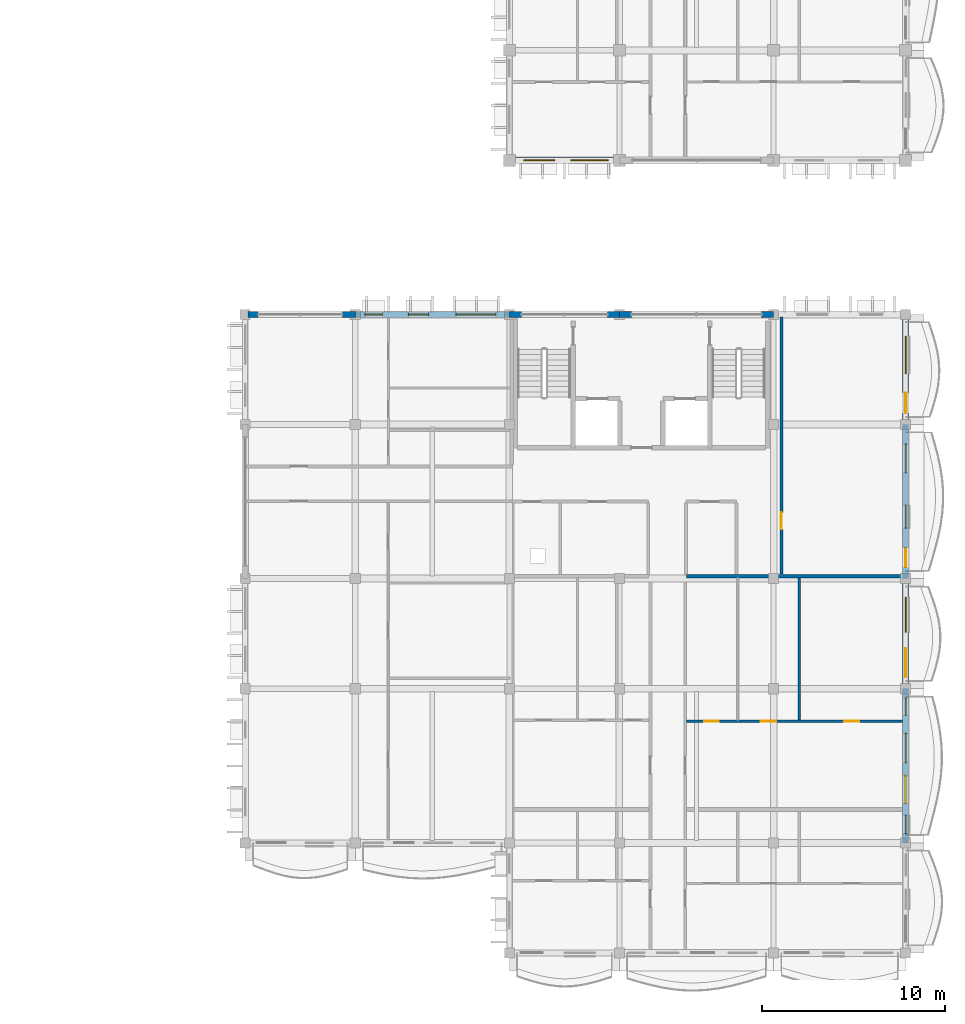
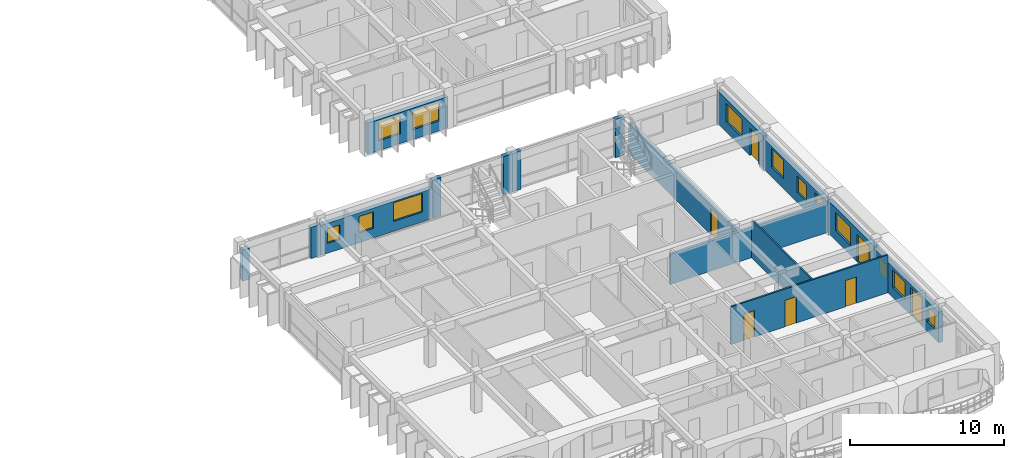
# One storey, part 44 of 79: 16 walls, 12 windows, 8 doors, 20 openings.
"""IFC4 building model written with IfcOpenShell, lengths in metres."""

import ifcopenshell
import ifcopenshell.guid

model = None  # the IFC model being written
_history = None  # IfcOwnerHistory: only IFC2X3 demands one
_inside = {}  # id of a spatial element -> (the spatial element, [elements in it])
_under = {}  # id of a project, library or spatial element -> (it, [spatial elements below it])
_declared = {}  # id of a project -> (the project, [libraries it declares])
_typed = {}  # id of a type object -> (the type object, [elements of that type])
_made_of = {}  # id of a material, layer set ... -> (it, [elements and type objects made of it])


def new_model(schema):
    """Start an empty IFC model of exactly this schema.

    Asked for "IFC4X3", IfcOpenShell would pick the latest addendum, in which some entities
    have other attributes; the version numbers below select the first issue.
    IFC2X3 requires an IfcOwnerHistory on every rooted entity: one is made here for all.
    """
    global model, _history
    if schema == "IFC4X3":
        model = ifcopenshell.file(schema_version=(4, 3, 0, 0))
    else:
        model = ifcopenshell.file(schema=schema)
    _inside.clear()
    _under.clear()
    _declared.clear()
    _typed.clear()
    _made_of.clear()
    _history = None
    if model.schema == "IFC2X3":
        org = make("IfcOrganization", Name="unknown")
        user = make(
            "IfcPersonAndOrganization",
            ThePerson=make("IfcPerson", FamilyName="unknown"),
            TheOrganization=org,
        )
        app = make(
            "IfcApplication",
            ApplicationDeveloper=org,
            Version="unknown",
            ApplicationFullName="unknown",
            ApplicationIdentifier="unknown",
        )
        _history = make(
            "IfcOwnerHistory",
            OwningUser=user,
            OwningApplication=app,
            ChangeAction="ADDED",
            CreationDate=0,
        )
    return model


def make(cls, **values):
    """One entity of the class cls with the attributes given. An attribute that is None is left unset."""
    return model.create_entity(
        cls, **{name: value for name, value in values.items() if value is not None}
    )


def rooted(cls, **values):
    """An entity with a GlobalId (a new one), such as an element, a storey or a relation."""
    return make(cls, GlobalId=ifcopenshell.guid.new(), OwnerHistory=_history, **values)


def si_unit(unit_type, name, prefix=None):
    """IfcSIUnit, for example si_unit("LENGTHUNIT", "METRE", prefix="MILLI")."""
    return make("IfcSIUnit", UnitType=unit_type, Prefix=prefix, Name=name)


def assignment(units):
    """IfcUnitAssignment: the units of a project."""
    return None if units is None else make("IfcUnitAssignment", Units=units)


def point(xyz):
    """IfcCartesianPoint."""
    return None if xyz is None else make("IfcCartesianPoint", Coordinates=xyz)


def direction(xyz):
    """IfcDirection."""
    return None if xyz is None else make("IfcDirection", DirectionRatios=xyz)


def frame(location, z_axis=None, x_axis=None):
    """IfcAxis2Placement3D, a coordinate frame: its origin and axes. An axis left out is left unset."""
    return make(
        "IfcAxis2Placement3D",
        Location=point(location),
        Axis=direction(z_axis),
        RefDirection=direction(x_axis),
    )


def frame_2d(location, x_axis=None):
    """IfcAxis2Placement2D, a coordinate frame in the plane: its origin and x axis."""
    return make(
        "IfcAxis2Placement2D", Location=point(location), RefDirection=direction(x_axis)
    )


def origin():
    """The frame at (0, 0, 0) with its axes left unset."""
    return frame((0.0, 0.0, 0.0))


def place(relative_to, where):
    """IfcLocalPlacement: puts the frame where relative to a parent placement (None: the world)."""
    return make(
        "IfcLocalPlacement", PlacementRelTo=relative_to, RelativePlacement=where
    )


def context(
    kind, dimensions, precision=None, world=None, true_north=None, identifier=None
):
    """IfcGeometricRepresentationContext, for example the 3D "Model" context."""
    return make(
        "IfcGeometricRepresentationContext",
        ContextIdentifier=identifier,
        ContextType=kind,
        CoordinateSpaceDimension=dimensions,
        Precision=precision,
        WorldCoordinateSystem=world,
        TrueNorth=true_north,
    )


def subcontext(parent, identifier, kind, view, scale=None):
    """IfcGeometricRepresentationSubContext, for example "Body" below "Model"."""
    return make(
        "IfcGeometricRepresentationSubContext",
        ContextIdentifier=identifier,
        ContextType=kind,
        ParentContext=parent,
        TargetScale=scale,
        TargetView=view,
    )


def project(units=None, contexts=None):
    """IfcProject with its units and contexts."""
    return rooted(
        "IfcProject",
        Name="project",
        RepresentationContexts=contexts,
        UnitsInContext=assignment(units),
    )


def spatial(cls, under=None, at=None, **own):
    """A site, building, storey or space (cls), placed at a placement, below another one or the project."""
    s = rooted(cls, ObjectPlacement=at, **own)
    if under is not None:
        _under.setdefault(under.id(), (under, []))[1].append(s)
    return s


def profile(cls, at=None, kind="AREA", **sizes):
    """A parametric profile (cls). Its sizes go by their IFC names, for example OverallWidth=200.0."""
    return make(cls, ProfileType=kind, Position=at, **sizes)


def rectangle(**sizes):
    """IfcRectangleProfileDef."""
    return profile("IfcRectangleProfileDef", **sizes)


def extrude(swept, where, along, depth):
    """IfcExtrudedAreaSolid: the profile swept, set in the frame where, extruded along a direction by depth."""
    return make(
        "IfcExtrudedAreaSolid",
        SweptArea=swept,
        Position=where,
        ExtrudedDirection=direction(along),
        Depth=depth,
    )


def shape(context_of_items, identifier, shape_type, items):
    """IfcShapeRepresentation: the items that make up one representation, for example the "Body"."""
    return make(
        "IfcShapeRepresentation",
        ContextOfItems=context_of_items,
        RepresentationIdentifier=identifier,
        RepresentationType=shape_type,
        Items=items,
    )


def material(Name=None, Category=None):
    """IfcMaterial."""
    return make("IfcMaterial", Name=Name, Category=Category)


def layer(
    of_material, thickness, ventilated=None, Name=None, Category=None, Priority=None
):
    """IfcMaterialLayer: one layer of a wall or slab, of a material (None: an air gap)."""
    return make(
        "IfcMaterialLayer",
        Material=of_material,
        LayerThickness=thickness,
        IsVentilated=ventilated,
        Name=Name,
        Category=Category,
        Priority=Priority,
    )


def layer_set(layers, Name=None):
    """IfcMaterialLayerSet."""
    return make("IfcMaterialLayerSet", MaterialLayers=layers, LayerSetName=Name)


def made_of(thing, what):
    """Note that an element or type object is made of a material, layer set ...; save() writes the relation."""
    if what is not None:
        _made_of.setdefault(what.id(), (what, []))[1].append(thing)
    return thing


def type_object(cls, material=None, **own):
    """A type object (cls), such as IfcWallType, which elements share."""
    return made_of(rooted(cls, **own), material)


def element(
    cls,
    number,
    at=None,
    inside=None,
    cuts=None,
    type_object=None,
    material=None,
    context=None,
    identifier="Body",
    shape_type=None,
    held_by="IfcProductDefinitionShape",
    body=None,
    shapes=None,
    **own,
):
    """One element of the class cls, such as IfcWall. Its Tag is "e" and its number.

    at: its placement. inside: the storey or other place that contains it. cuts: it is an
    opening in that element (IfcRelVoidsElement). A single representation is given by context,
    identifier, shape_type and body (its items); several are given by shapes. held_by: the class
    of the entity that holds the representations. save() writes the other relations.
    """
    e = rooted(cls, Tag="e%d" % number, ObjectPlacement=at, **own)
    if body is not None:
        shapes = [shape(context, identifier, shape_type, body)]
    if shapes is not None:
        e.Representation = make(held_by, Representations=shapes)
    if inside is not None:
        _inside.setdefault(inside.id(), (inside, []))[1].append(e)
    if cuts is not None:
        rooted(
            "IfcRelVoidsElement", RelatingBuildingElement=cuts, RelatedOpeningElement=e
        )
    if type_object is not None:
        _typed.setdefault(type_object.id(), (type_object, []))[1].append(e)
    return made_of(e, material)


def fill(opening, filler):
    """IfcRelFillsElement: the door or window that sits in an opening."""
    return rooted(
        "IfcRelFillsElement",
        RelatingOpeningElement=opening,
        RelatedBuildingElement=filler,
    )


def aggregate(whole, parts):
    """IfcRelAggregates: a whole, such as a stair, and the parts it consists of."""
    return rooted("IfcRelAggregates", RelatingObject=whole, RelatedObjects=parts)


def save(model, path):
    """Write the relations noted so far, then the file.

    IfcRelAggregates (storeys below a building ...), IfcRelContainedInSpatialStructure (elements
    in a storey), IfcRelDefinesByType, IfcRelAssociatesMaterial and IfcRelDeclares: one each for
    every whole, place, type object, material and project.
    """
    for whole, parts in _under.values():
        aggregate(whole, parts)
    for where, things in _inside.values():
        rooted(
            "IfcRelContainedInSpatialStructure",
            RelatedElements=things,
            RelatingStructure=where,
        )
    for kind, things in _typed.values():
        rooted("IfcRelDefinesByType", RelatedObjects=things, RelatingType=kind)
    for what, things in _made_of.values():
        rooted("IfcRelAssociatesMaterial", RelatedObjects=things, RelatingMaterial=what)
    for by, libraries in _declared.values():
        rooted("IfcRelDeclares", RelatingContext=by, RelatedDefinitions=libraries)
    model.write(path)


model = new_model("IFC4")

# Units and contexts
model_context = context("Model", 3, precision=1e-05, world=origin(), true_north=direction((0.0, 1.0)))
body_context = subcontext(model_context, "Body", "Model", "MODEL_VIEW")
ifc_project = project(units=[si_unit("LENGTHUNIT", "METRE"), si_unit("AREAUNIT", "SQUARE_METRE"), si_unit("VOLUMEUNIT", "CUBIC_METRE"), si_unit("PLANEANGLEUNIT", "RADIAN"), si_unit("MASSUNIT", "GRAM", prefix="KILO"), si_unit("THERMODYNAMICTEMPERATUREUNIT", "KELVIN")], contexts=[model_context])

# Site, building, storey
site_placement = place(None, origin())
site = spatial("IfcSite", under=ifc_project, at=site_placement, CompositionType="ELEMENT")
building_placement = place(site_placement, origin())
building = spatial("IfcBuilding", under=site, at=building_placement, Name="Thalorik Housing Commons", CompositionType="ELEMENT")
storey_placement = place(building_placement, frame((0.0, 0.0, 11.39990234375)))
storey = spatial("IfcBuildingStorey", under=building, at=storey_placement, Name="L03", CompositionType="ELEMENT", Elevation=11.39990234375)

# Wall, opening, door
ifc_material_1 = material(Name="Masonry fire-rated corridor wall", Category="masonry")
ifc_layer_1 = layer(ifc_material_1, 0.1650390625, Name="Masonry fire-rated corridor wall", Category="masonry")
ifc_layer_set_1 = layer_set([ifc_layer_1], Name="Masonry fire-rated corridor wall")
wall_type_1 = type_object("IfcWallType", Name="ARC-WAL-CORR-165", PredefinedType="PARTITIONING", material=ifc_layer_set_1)
wall_1_placement = place(storey_placement, frame((167.219970703125, 57.842041015625, 0.0), z_axis=(0.0, 0.0, 1.0), x_axis=(0.0, 1.0, 0.0)))
wall_1 = element("IfcWall", 1, at=wall_1_placement, inside=storey, type_object=wall_type_1, Name="L03 Block D East Studio Wall", PredefinedType="PARTITIONING", context=body_context, shape_type="SweptSolid", body=[
    extrude(rectangle(XDim=14.01806640625, YDim=0.1650390625, at=frame_2d((7.009033203125, 0.0))), origin(), (0.0, 0.0, 1.0), 2.425048828125),
])
opening_1_placement = place(wall_1_placement, frame((2.447998046875, 0.0, 0.0)))
opening_1 = element("IfcOpeningElement", 2, at=opening_1_placement, cuts=wall_1, Name="Opening ID-2041", PredefinedType="OPENING", context=body_context, shape_type="SweptSolid", body=[
    extrude(rectangle(XDim=0.919921875, YDim=2.10009765625, at=frame_2d((0.4599609375, 1.050048828125))), frame((0.0, 0.092529296875, 0.0), z_axis=(0.0, -1.0, 0.0), x_axis=(1.0, 0.0, 0.0)), (0.0, 0.0, 1.0), 0.18505859375),
])
ifc_material_2 = material(Name="Solid core hardwood timber", Category="wood")
door_type_1 = type_object("IfcDoorType", Name="ARC-DR-FD30-920", OperationType="NOTDEFINED", PredefinedType="DOOR", material=ifc_material_2)
door_1_placement = place(opening_1_placement, origin())
door_1 = element("IfcDoor", 3, at=door_1_placement, inside=storey, type_object=door_type_1, Name="L03 Block D East Room Door", OperationType="SINGLE_SWING_RIGHT", OverallHeight=2.10009765625, OverallWidth=0.919921875, PredefinedType="DOOR", context=body_context, shape_type="SweptSolid", body=[
    extrude(rectangle(XDim=0.919921875, YDim=2.10009765625, at=frame_2d((0.4599609375, 1.050048828125))), frame((0.0, 0.02490234375, 0.0), z_axis=(0.0, -1.0, 0.0), x_axis=(1.0, 0.0, 0.0)), (0.0, 0.0, 1.0), 0.050048828125),
])
fill(opening_1, door_1)

# Wall, openings, windows
ifc_material_3 = material(Name="White precast concrete C40/50", Category="concrete")
ifc_layer_2 = layer(ifc_material_3, 0.320068359375, Name="White precast concrete C40/50", Category="concrete")
ifc_layer_set_2 = layer_set([ifc_layer_2], Name="White precast concrete C40/50")
wall_type_2 = type_object("IfcWallType", Name="ARC-WAL-EXT-320", PredefinedType="STANDARD", material=ifc_layer_set_2)
wall_2_placement = place(storey_placement, frame((152.39990234375, 72.0, 0.0), z_axis=(0.0, 0.0, 1.0), x_axis=(-1.0, 0.0, 0.0)))
wall_2 = element("IfcWall", 4, at=wall_2_placement, inside=storey, type_object=wall_type_2, Name="L03 Exterior Wall WAL-EXT-L03-D-1165", PredefinedType="STANDARD", context=body_context, shape_type="SweptSolid", body=[
    extrude(rectangle(XDim=8.39990234375, YDim=0.320068359375, at=frame_2d((4.199951171875, 0.0))), origin(), (0.0, 0.0, 1.0), 2.375),
])
opening_2_placement = place(wall_2_placement, frame((0.73486328125, 0.0, 0.780029296875)))
opening_2 = element("IfcOpeningElement", 5, at=opening_2_placement, cuts=wall_2, Name="Opening W-65", PredefinedType="OPENING", context=body_context, shape_type="SweptSolid", body=[
    extrude(rectangle(XDim=2.179931640625, YDim=1.47998046875, at=frame_2d((1.08984375, 0.739990234375))), frame((0.0, 0.169921875, 0.0), z_axis=(0.0, -1.0, 0.0), x_axis=(1.0, 0.0, 0.0)), (0.0, 0.0, 1.0), 0.340087890625),
])
opening_3_placement = place(wall_2_placement, frame((4.40478515625, 0.0, 0.780029296875)))
opening_3 = element("IfcOpeningElement", 6, at=opening_3_placement, cuts=wall_2, Name="Opening W-03", PredefinedType="OPENING", context=body_context, shape_type="SweptSolid", body=[
    extrude(rectangle(XDim=1.10009765625, YDim=1.300048828125, at=frame_2d((0.550048828125, 0.64990234375))), frame((0.0, 0.169921875, 0.0), z_axis=(0.0, -1.0, 0.0), x_axis=(1.0, 0.0, 0.0)), (0.0, 0.0, 1.0), 0.340087890625),
])
opening_4_placement = place(wall_2_placement, frame((6.9248046875, 0.0, 0.780029296875)))
opening_4 = element("IfcOpeningElement", 7, at=opening_4_placement, cuts=wall_2, Name="Opening W-43", PredefinedType="OPENING", context=body_context, shape_type="SweptSolid", body=[
    extrude(rectangle(XDim=0.949951171875, YDim=1.14990234375, at=frame_2d((0.47509765625, 0.574951171875))), frame((0.0, 0.169921875, 0.0), z_axis=(0.0, -1.0, 0.0), x_axis=(1.0, 0.0, 0.0)), (0.0, 0.0, 1.0), 0.340087890625),
])
ifc_material_4 = material(Name="Anodised aluminium and solar-control low-E glass", Category="aluminium")
window_type_1 = type_object("IfcWindowType", Name="ARC-WIN-03", PartitioningType="SINGLE_PANEL", PredefinedType="WINDOW", material=ifc_material_4)
window_1_placement = place(opening_3_placement, origin())
window_1 = element("IfcWindow", 8, at=window_1_placement, inside=storey, type_object=window_type_1, Name="L03 Facade Window 2134", OverallHeight=1.300048828125, OverallWidth=1.10009765625, PartitioningType="SINGLE_PANEL", PredefinedType="WINDOW", context=body_context, shape_type="SweptSolid", body=[
    extrude(rectangle(XDim=1.10009765625, YDim=1.300048828125, at=frame_2d((0.550048828125, 0.64990234375))), frame((0.0, 0.030029296875, 0.0), z_axis=(0.0, -1.0, 0.0), x_axis=(1.0, 0.0, 0.0)), (0.0, 0.0, 1.0), 0.06005859375),
])
fill(opening_3, window_1)
window_type_2 = type_object("IfcWindowType", Name="ARC-WIN-43", PartitioningType="SINGLE_PANEL", PredefinedType="WINDOW", material=ifc_material_4)
window_2_placement = place(opening_4_placement, origin())
window_2 = element("IfcWindow", 9, at=window_2_placement, inside=storey, type_object=window_type_2, Name="L03 Facade Window 2135", OverallHeight=1.14990234375, OverallWidth=0.949951171875, PartitioningType="SINGLE_PANEL", PredefinedType="WINDOW", context=body_context, shape_type="SweptSolid", body=[
    extrude(rectangle(XDim=0.949951171875, YDim=1.14990234375, at=frame_2d((0.47509765625, 0.574951171875))), frame((0.0, 0.030029296875, 0.0), z_axis=(0.0, -1.0, 0.0), x_axis=(1.0, 0.0, 0.0)), (0.0, 0.0, 1.0), 0.06005859375),
])
fill(opening_4, window_2)
window_type_3 = type_object("IfcWindowType", Name="ARC-WIN-65", PartitioningType="DOUBLE_PANEL_VERTICAL", PredefinedType="WINDOW", material=ifc_material_4)
window_3_placement = place(opening_2_placement, origin())
window_3 = element("IfcWindow", 10, at=window_3_placement, inside=storey, type_object=window_type_3, Name="L03 Facade Window 2133", OverallHeight=1.47998046875, OverallWidth=2.179931640625, PartitioningType="DOUBLE_PANEL_VERTICAL", PredefinedType="WINDOW", context=body_context, shape_type="SweptSolid", body=[
    extrude(rectangle(XDim=2.179931640625, YDim=1.47998046875, at=frame_2d((1.08984375, 0.739990234375))), frame((0.0, 0.030029296875, 0.0), z_axis=(0.0, -1.0, 0.0), x_axis=(1.0, 0.0, 0.0)), (0.0, 0.0, 1.0), 0.06005859375),
])
fill(opening_2, window_3)

# Walls
wall_3_placement = place(storey_placement, frame((144.0, 72.0, 0.0), z_axis=(0.0, 0.0, 1.0), x_axis=(-1.0, 0.0, 0.0)))
element("IfcWall", 11, at=wall_3_placement, inside=storey, type_object=wall_type_2, Name="L03 Exterior Wall WAL-PIERL-L03-D-1166", PredefinedType="STANDARD", context=body_context, shape_type="SweptSolid", body=[
    extrude(rectangle(XDim=0.699951171875, YDim=0.320068359375, at=frame_2d((0.35009765625, 0.0))), origin(), (0.0, 0.0, 1.0), 2.47509765625),
])
wall_4_placement = place(storey_placement, frame((138.699951171875, 72.0, 0.0), z_axis=(0.0, 0.0, 1.0), x_axis=(-1.0, 0.0, 0.0)))
element("IfcWall", 12, at=wall_4_placement, inside=storey, type_object=wall_type_2, Name="L03 Exterior Wall WAL-PIERR-L03-D-1166", PredefinedType="STANDARD", context=body_context, shape_type="SweptSolid", body=[
    extrude(rectangle(XDim=0.537841796875, YDim=0.320068359375, at=frame_2d((0.26904296875, 0.0))), origin(), (0.0, 0.0, 1.0), 2.47509765625),
])

# Wall, openings, door, windows
wall_5_placement = place(storey_placement, frame((174.0, 43.199951171875, 0.0), z_axis=(0.0, 0.0, 1.0), x_axis=(0.0, 1.0, 0.0)))
wall_5 = element("IfcWall", 13, at=wall_5_placement, inside=storey, type_object=wall_type_2, Name="L03 Exterior Wall WAL-EXT-L03-D-1178", PredefinedType="STANDARD", context=body_context, shape_type="SweptSolid", body=[
    extrude(rectangle(XDim=8.400146484375, YDim=0.320068359375, at=frame_2d((4.2001953125, 0.0))), origin(), (0.0, 0.0, 1.0), 2.425048828125),
])
opening_5_placement = place(wall_5_placement, frame((2.14990234375, 0.0, 0.0)))
opening_5 = element("IfcOpeningElement", 14, at=opening_5_placement, cuts=wall_5, Name="Opening ED-0392", PredefinedType="OPENING", context=body_context, shape_type="SweptSolid", body=[
    extrude(rectangle(XDim=1.5, YDim=2.199951171875, at=frame_2d((0.75, 1.10009765625))), frame((0.0, 0.169921875, 0.0), z_axis=(0.0, -1.0, 0.0), x_axis=(1.0, 0.0, 0.0)), (0.0, 0.0, 1.0), 0.340087890625),
])
opening_6_placement = place(wall_5_placement, frame((0.5048828125, 0.0, 0.780029296875)))
opening_6 = element("IfcOpeningElement", 15, at=opening_6_placement, cuts=wall_5, Name="Opening W-02", PredefinedType="OPENING", context=body_context, shape_type="SweptSolid", body=[
    extrude(rectangle(XDim=1.0, YDim=1.25, at=frame_2d((0.5, 0.625))), frame((0.0, 0.169921875, 0.0), z_axis=(0.0, -1.0, 0.0), x_axis=(1.0, 0.0, 0.0)), (0.0, 0.0, 1.0), 0.340087890625),
])
opening_7_placement = place(wall_5_placement, frame((4.352783203125, 0.0, 0.780029296875)))
opening_7 = element("IfcOpeningElement", 16, at=opening_7_placement, cuts=wall_5, Name="Opening W-54", PredefinedType="OPENING", context=body_context, shape_type="SweptSolid", body=[
    extrude(rectangle(XDim=1.6201171875, YDim=1.3798828125, at=frame_2d((0.81005859375, 0.68994140625))), frame((0.0, 0.169921875, 0.0), z_axis=(0.0, -1.0, 0.0), x_axis=(1.0, 0.0, 0.0)), (0.0, 0.0, 1.0), 0.340087890625),
])
opening_8_placement = place(wall_5_placement, frame((6.94287109375, 0.0, 0.780029296875)))
opening_8 = element("IfcOpeningElement", 17, at=opening_8_placement, cuts=wall_5, Name="Opening W-43", PredefinedType="OPENING", context=body_context, shape_type="SweptSolid", body=[
    extrude(rectangle(XDim=0.949951171875, YDim=1.14990234375, at=frame_2d((0.47509765625, 0.574951171875))), frame((0.0, 0.169921875, 0.0), z_axis=(0.0, -1.0, 0.0), x_axis=(1.0, 0.0, 0.0)), (0.0, 0.0, 1.0), 0.340087890625),
])
ifc_material_5 = material(Name="Anodised aluminium and laminated safety glass", Category="aluminium")
door_type_2 = type_object("IfcDoorType", Name="ARC-DR-BAL-1500", OperationType="NOTDEFINED", PredefinedType="DOOR", material=ifc_material_5)
door_2_placement = place(opening_5_placement, frame((1.5, 0.0, 0.0), z_axis=(0.0, 0.0, 1.0), x_axis=(-1.0, 0.0, 0.0)))
door_2 = element("IfcDoor", 18, at=door_2_placement, inside=storey, type_object=door_type_2, Name="L03 Block D Balcony Glazed Door", OperationType="SLIDING_TO_RIGHT", OverallHeight=2.199951171875, OverallWidth=1.5, PredefinedType="DOOR", context=body_context, shape_type="SweptSolid", body=[
    extrude(rectangle(XDim=1.5, YDim=2.199951171875, at=frame_2d((0.75, 1.10009765625))), frame((0.0, 0.02490234375, 0.0), z_axis=(0.0, -1.0, 0.0), x_axis=(1.0, 0.0, 0.0)), (0.0, 0.0, 1.0), 0.050048828125),
])
fill(opening_5, door_2)
window_type_4 = type_object("IfcWindowType", Name="ARC-WIN-02", PartitioningType="SINGLE_PANEL", PredefinedType="WINDOW", material=ifc_material_4)
window_4_placement = place(opening_6_placement, origin())
window_4 = element("IfcWindow", 19, at=window_4_placement, inside=storey, type_object=window_type_4, Name="L03 Facade Window 2156", OverallHeight=1.25, OverallWidth=1.0, PartitioningType="SINGLE_PANEL", PredefinedType="WINDOW", context=body_context, shape_type="SweptSolid", body=[
    extrude(rectangle(XDim=1.0, YDim=1.25, at=frame_2d((0.5, 0.625))), frame((0.0, 0.030029296875, 0.0), z_axis=(0.0, -1.0, 0.0), x_axis=(1.0, 0.0, 0.0)), (0.0, 0.0, 1.0), 0.06005859375),
])
fill(opening_6, window_4)
window_5_placement = place(opening_8_placement, origin())
window_5 = element("IfcWindow", 20, at=window_5_placement, inside=storey, type_object=window_type_2, Name="L03 Facade Window 2158", OverallHeight=1.14990234375, OverallWidth=0.949951171875, PartitioningType="SINGLE_PANEL", PredefinedType="WINDOW", context=body_context, shape_type="SweptSolid", body=[
    extrude(rectangle(XDim=0.949951171875, YDim=1.14990234375, at=frame_2d((0.47509765625, 0.574951171875))), frame((0.0, 0.030029296875, 0.0), z_axis=(0.0, -1.0, 0.0), x_axis=(1.0, 0.0, 0.0)), (0.0, 0.0, 1.0), 0.06005859375),
])
fill(opening_8, window_5)
window_type_5 = type_object("IfcWindowType", Name="ARC-WIN-54", PartitioningType="DOUBLE_PANEL_VERTICAL", PredefinedType="WINDOW", material=ifc_material_4)
window_6_placement = place(opening_7_placement, origin())
window_6 = element("IfcWindow", 21, at=window_6_placement, inside=storey, type_object=window_type_5, Name="L03 Facade Window 2157", OverallHeight=1.3798828125, OverallWidth=1.6201171875, PartitioningType="DOUBLE_PANEL_VERTICAL", PredefinedType="WINDOW", context=body_context, shape_type="SweptSolid", body=[
    extrude(rectangle(XDim=1.6201171875, YDim=1.3798828125, at=frame_2d((0.81005859375, 0.68994140625))), frame((0.0, 0.030029296875, 0.0), z_axis=(0.0, -1.0, 0.0), x_axis=(1.0, 0.0, 0.0)), (0.0, 0.0, 1.0), 0.06005859375),
])
fill(opening_7, window_6)

# Wall, openings, door, window
wall_6_placement = place(storey_placement, frame((174.0, 51.60009765625, 0.0), z_axis=(0.0, 0.0, 1.0), x_axis=(0.0, 1.0, 0.0)))
wall_6 = element("IfcWall", 22, at=wall_6_placement, inside=storey, type_object=wall_type_2, Name="L03 Exterior Wall WAL-EXT-L03-D-1179", PredefinedType="STANDARD", context=body_context, shape_type="SweptSolid", body=[
    extrude(rectangle(XDim=6.0, YDim=0.320068359375, at=frame_2d((3.0, 0.0))), origin(), (0.0, 0.0, 1.0), 2.5751953125),
])
opening_9_placement = place(wall_6_placement, frame((0.6201171875, 0.0, 0.0)))
opening_9 = element("IfcOpeningElement", 23, at=opening_9_placement, cuts=wall_6, Name="Opening ED-0393", PredefinedType="OPENING", context=body_context, shape_type="SweptSolid", body=[
    extrude(rectangle(XDim=1.60009765625, YDim=2.199951171875, at=frame_2d((0.800048828125, 1.10009765625))), frame((0.0, 0.169921875, 0.0), z_axis=(0.0, -1.0, 0.0), x_axis=(1.0, 0.0, 0.0)), (0.0, 0.0, 1.0), 0.340087890625),
])
opening_10_placement = place(wall_6_placement, frame((3.080078125, 0.0, 0.780029296875)))
opening_10 = element("IfcOpeningElement", 24, at=opening_10_placement, cuts=wall_6, Name="Opening W-60", PredefinedType="OPENING", context=body_context, shape_type="SweptSolid", body=[
    extrude(rectangle(XDim=1.919921875, YDim=1.43994140625, at=frame_2d((0.9599609375, 0.719970703125))), frame((0.0, 0.169921875, 0.0), z_axis=(0.0, -1.0, 0.0), x_axis=(1.0, 0.0, 0.0)), (0.0, 0.0, 1.0), 0.340087890625),
])
door_type_3 = type_object("IfcDoorType", Name="ARC-DR-BAL-1600", OperationType="NOTDEFINED", PredefinedType="DOOR", material=ifc_material_5)
door_3_placement = place(opening_9_placement, frame((1.60009765625, 0.0, 0.0), z_axis=(0.0, 0.0, 1.0), x_axis=(-1.0, 0.0, 0.0)))
door_3 = element("IfcDoor", 25, at=door_3_placement, inside=storey, type_object=door_type_3, Name="L03 Block D Balcony Glazed Door", OperationType="SLIDING_TO_LEFT", OverallHeight=2.199951171875, OverallWidth=1.60009765625, PredefinedType="DOOR", context=body_context, shape_type="SweptSolid", body=[
    extrude(rectangle(XDim=1.60009765625, YDim=2.199951171875, at=frame_2d((0.800048828125, 1.10009765625))), frame((0.0, 0.02490234375, 0.0), z_axis=(0.0, -1.0, 0.0), x_axis=(1.0, 0.0, 0.0)), (0.0, 0.0, 1.0), 0.050048828125),
])
fill(opening_9, door_3)
window_type_6 = type_object("IfcWindowType", Name="ARC-WIN-60", PartitioningType="DOUBLE_PANEL_VERTICAL", PredefinedType="WINDOW", material=ifc_material_4)
window_7_placement = place(opening_10_placement, origin())
window_7 = element("IfcWindow", 26, at=window_7_placement, inside=storey, type_object=window_type_6, Name="L03 Facade Window 2159", OverallHeight=1.43994140625, OverallWidth=1.919921875, PartitioningType="DOUBLE_PANEL_VERTICAL", PredefinedType="WINDOW", context=body_context, shape_type="SweptSolid", body=[
    extrude(rectangle(XDim=1.919921875, YDim=1.43994140625, at=frame_2d((0.9599609375, 0.719970703125))), frame((0.0, 0.030029296875, 0.0), z_axis=(0.0, -1.0, 0.0), x_axis=(1.0, 0.0, 0.0)), (0.0, 0.0, 1.0), 0.06005859375),
])
fill(opening_10, window_7)

# Wall, openings, door, windows
wall_7_placement = place(storey_placement, frame((174.0, 57.60009765625, 0.0), z_axis=(0.0, 0.0, 1.0), x_axis=(0.0, 1.0, 0.0)))
wall_7 = element("IfcWall", 27, at=wall_7_placement, inside=storey, type_object=wall_type_2, Name="L03 Exterior Wall WAL-EXT-L03-D-1180", PredefinedType="STANDARD", context=body_context, shape_type="SweptSolid", body=[
    extrude(rectangle(XDim=8.39990234375, YDim=0.320068359375, at=frame_2d((4.199951171875, 0.0))), origin(), (0.0, 0.0, 1.0), 2.425048828125),
])
opening_11_placement = place(wall_7_placement, frame((0.6201171875, 0.0, 0.0)))
opening_11 = element("IfcOpeningElement", 28, at=opening_11_placement, cuts=wall_7, Name="Opening ED-0394", PredefinedType="OPENING", context=body_context, shape_type="SweptSolid", body=[
    extrude(rectangle(XDim=1.050048828125, YDim=2.14990234375, at=frame_2d((0.52490234375, 1.074951171875))), frame((0.0, 0.169921875, 0.0), z_axis=(0.0, -1.0, 0.0), x_axis=(1.0, 0.0, 0.0)), (0.0, 0.0, 1.0), 0.340087890625),
])
opening_12_placement = place(wall_7_placement, frame((2.75244140625, 0.0, 0.780029296875)))
opening_12 = element("IfcOpeningElement", 29, at=opening_12_placement, cuts=wall_7, Name="Opening W-46", PredefinedType="OPENING", context=body_context, shape_type="SweptSolid", body=[
    extrude(rectangle(XDim=1.25, YDim=1.300048828125, at=frame_2d((0.625, 0.64990234375))), frame((0.0, 0.169921875, 0.0), z_axis=(0.0, -1.0, 0.0), x_axis=(1.0, 0.0, 0.0)), (0.0, 0.0, 1.0), 0.340087890625),
])
opening_13_placement = place(wall_7_placement, frame((5.762451171875, 0.0, 0.780029296875)))
opening_13 = element("IfcOpeningElement", 30, at=opening_13_placement, cuts=wall_7, Name="Opening W-53", PredefinedType="OPENING", context=body_context, shape_type="SweptSolid", body=[
    extrude(rectangle(XDim=1.580078125, YDim=1.47998046875, at=frame_2d((0.7900390625, 0.739990234375))), frame((0.0, 0.169921875, 0.0), z_axis=(0.0, -1.0, 0.0), x_axis=(1.0, 0.0, 0.0)), (0.0, 0.0, 1.0), 0.340087890625),
])
door_type_4 = type_object("IfcDoorType", Name="ARC-DR-BAL-1050", OperationType="NOTDEFINED", PredefinedType="DOOR", material=ifc_material_5)
door_4_placement = place(opening_11_placement, frame((1.050048828125, 0.0, 0.0), z_axis=(0.0, 0.0, 1.0), x_axis=(-1.0, 0.0, 0.0)))
door_4 = element("IfcDoor", 31, at=door_4_placement, inside=storey, type_object=door_type_4, Name="L03 Block D Balcony Glazed Door", OperationType="SINGLE_SWING_LEFT", OverallHeight=2.14990234375, OverallWidth=1.050048828125, PredefinedType="DOOR", context=body_context, shape_type="SweptSolid", body=[
    extrude(rectangle(XDim=1.050048828125, YDim=2.14990234375, at=frame_2d((0.52490234375, 1.074951171875))), frame((0.0, 0.02490234375, 0.0), z_axis=(0.0, -1.0, 0.0), x_axis=(1.0, 0.0, 0.0)), (0.0, 0.0, 1.0), 0.050048828125),
])
fill(opening_11, door_4)
window_type_7 = type_object("IfcWindowType", Name="ARC-WIN-46", PartitioningType="SINGLE_PANEL", PredefinedType="WINDOW", material=ifc_material_4)
window_8_placement = place(opening_12_placement, origin())
window_8 = element("IfcWindow", 32, at=window_8_placement, inside=storey, type_object=window_type_7, Name="L03 Facade Window 2160", OverallHeight=1.300048828125, OverallWidth=1.25, PartitioningType="SINGLE_PANEL", PredefinedType="WINDOW", context=body_context, shape_type="SweptSolid", body=[
    extrude(rectangle(XDim=1.25, YDim=1.300048828125, at=frame_2d((0.625, 0.64990234375))), frame((0.0, 0.030029296875, 0.0), z_axis=(0.0, -1.0, 0.0), x_axis=(1.0, 0.0, 0.0)), (0.0, 0.0, 1.0), 0.06005859375),
])
fill(opening_12, window_8)
window_type_8 = type_object("IfcWindowType", Name="ARC-WIN-53", PartitioningType="SINGLE_PANEL", PredefinedType="WINDOW", material=ifc_material_4)
window_9_placement = place(opening_13_placement, origin())
window_9 = element("IfcWindow", 33, at=window_9_placement, inside=storey, type_object=window_type_8, Name="L03 Facade Window 2161", OverallHeight=1.47998046875, OverallWidth=1.580078125, PartitioningType="SINGLE_PANEL", PredefinedType="WINDOW", context=body_context, shape_type="SweptSolid", body=[
    extrude(rectangle(XDim=1.580078125, YDim=1.47998046875, at=frame_2d((0.7900390625, 0.739990234375))), frame((0.0, 0.030029296875, 0.0), z_axis=(0.0, -1.0, 0.0), x_axis=(1.0, 0.0, 0.0)), (0.0, 0.0, 1.0), 0.06005859375),
])
fill(opening_13, window_9)

# Wall, openings, door, window
wall_8_placement = place(storey_placement, frame((174.0, 66.0, 0.0), z_axis=(0.0, 0.0, 1.0), x_axis=(0.0, 1.0, 0.0)))
wall_8 = element("IfcWall", 34, at=wall_8_placement, inside=storey, type_object=wall_type_2, Name="L03 Exterior Wall WAL-EXT-L03-D-1181", PredefinedType="STANDARD", context=body_context, shape_type="SweptSolid", body=[
    extrude(rectangle(XDim=6.0, YDim=0.320068359375, at=frame_2d((3.0, 0.0))), origin(), (0.0, 0.0, 1.0), 2.5751953125),
])
opening_14_placement = place(wall_8_placement, frame((0.6201171875, 0.0, 0.0)))
opening_14 = element("IfcOpeningElement", 35, at=opening_14_placement, cuts=wall_8, Name="Opening ED-0395", PredefinedType="OPENING", context=body_context, shape_type="SweptSolid", body=[
    extrude(rectangle(XDim=1.10009765625, YDim=2.14990234375, at=frame_2d((0.550048828125, 1.074951171875))), frame((0.0, 0.169921875, 0.0), z_axis=(0.0, -1.0, 0.0), x_axis=(1.0, 0.0, 0.0)), (0.0, 0.0, 1.0), 0.340087890625),
])
opening_15_placement = place(wall_8_placement, frame((2.77001953125, 0.0, 0.780029296875)))
opening_15 = element("IfcOpeningElement", 36, at=opening_15_placement, cuts=wall_8, Name="Opening W-62", PredefinedType="OPENING", context=body_context, shape_type="SweptSolid", body=[
    extrude(rectangle(XDim=2.0400390625, YDim=1.4599609375, at=frame_2d((1.02001953125, 0.72998046875))), frame((0.0, 0.169921875, 0.0), z_axis=(0.0, -1.0, 0.0), x_axis=(1.0, 0.0, 0.0)), (0.0, 0.0, 1.0), 0.340087890625),
])
door_type_5 = type_object("IfcDoorType", Name="ARC-DR-BAL-1100", OperationType="NOTDEFINED", PredefinedType="DOOR", material=ifc_material_5)
door_5_placement = place(opening_14_placement, frame((1.10009765625, 0.0, 0.0), z_axis=(0.0, 0.0, 1.0), x_axis=(-1.0, 0.0, 0.0)))
door_5 = element("IfcDoor", 37, at=door_5_placement, inside=storey, type_object=door_type_5, Name="L03 Block D Balcony Glazed Door", OperationType="SINGLE_SWING_RIGHT", OverallHeight=2.14990234375, OverallWidth=1.10009765625, PredefinedType="DOOR", context=body_context, shape_type="SweptSolid", body=[
    extrude(rectangle(XDim=1.10009765625, YDim=2.14990234375, at=frame_2d((0.550048828125, 1.074951171875))), frame((0.0, 0.02490234375, 0.0), z_axis=(0.0, -1.0, 0.0), x_axis=(1.0, 0.0, 0.0)), (0.0, 0.0, 1.0), 0.050048828125),
])
fill(opening_14, door_5)
window_type_9 = type_object("IfcWindowType", Name="ARC-WIN-62", PartitioningType="DOUBLE_PANEL_VERTICAL", PredefinedType="WINDOW", material=ifc_material_4)
window_10_placement = place(opening_15_placement, origin())
window_10 = element("IfcWindow", 38, at=window_10_placement, inside=storey, type_object=window_type_9, Name="L03 Facade Window 2162", OverallHeight=1.4599609375, OverallWidth=2.0400390625, PartitioningType="DOUBLE_PANEL_VERTICAL", PredefinedType="WINDOW", context=body_context, shape_type="SweptSolid", body=[
    extrude(rectangle(XDim=2.0400390625, YDim=1.4599609375, at=frame_2d((1.02001953125, 0.72998046875))), frame((0.0, 0.030029296875, 0.0), z_axis=(0.0, -1.0, 0.0), x_axis=(1.0, 0.0, 0.0)), (0.0, 0.0, 1.0), 0.06005859375),
])
fill(opening_15, window_10)

# Walls
for number, where, z_axis, x_axis, name in (
    (39, (166.800048828125, 72.0, 0.0), (0.0, 0.0, 1.0), (-1.0, 0.0, 0.0), "L03 Exterior Wall WAL-PIERL-L03-D-1183"),
    (40, (159.050048828125, 72.0, 0.0), (0.0, 0.0, 1.0), (-1.0, 0.0, 0.0), "L03 Exterior Wall WAL-PIERR-L03-D-1183"),
):
    element("IfcWall", number, at=place(storey_placement, frame(where, z_axis=z_axis, x_axis=x_axis)), inside=storey, type_object=wall_type_2, Name=name, PredefinedType="STANDARD", context=body_context, shape_type="SweptSolid", body=[
        extrude(rectangle(XDim=0.650146484375, YDim=0.320068359375, at=frame_2d((0.3251953125, 0.0))), origin(), (0.0, 0.0, 1.0), 3.0400390625),
    ])
wall_9_placement = place(storey_placement, frame((158.39990234375, 72.0, 0.0), z_axis=(0.0, 0.0, 1.0), x_axis=(-1.0, 0.0, 0.0)))
element("IfcWall", 41, at=wall_9_placement, inside=storey, type_object=wall_type_2, Name="L03 Exterior Wall WAL-PIERL-L03-D-1184", PredefinedType="STANDARD", context=body_context, shape_type="SweptSolid", body=[
    extrude(rectangle(XDim=0.64990234375, YDim=0.320068359375, at=frame_2d((0.324951171875, 0.0))), origin(), (0.0, 0.0, 1.0), 3.0400390625),
])
wall_10_placement = place(storey_placement, frame((153.050048828125, 72.0, 0.0), z_axis=(0.0, 0.0, 1.0), x_axis=(-1.0, 0.0, 0.0)))
element("IfcWall", 42, at=wall_10_placement, inside=storey, type_object=wall_type_2, Name="L03 Exterior Wall WAL-PIERR-L03-D-1184", PredefinedType="STANDARD", context=body_context, shape_type="SweptSolid", body=[
    extrude(rectangle(XDim=0.650146484375, YDim=0.320068359375, at=frame_2d((0.3251953125, 0.0))), origin(), (0.0, 0.0, 1.0), 3.0400390625),
])

# Wall, openings, windows
ifc_layer_3 = layer(ifc_material_3, 0.35009765625, Name="White precast concrete C40/50", Category="concrete")
ifc_layer_set_3 = layer_set([ifc_layer_3], Name="White precast concrete C40/50")
wall_type_3 = type_object("IfcWallType", Name="ARC-WAL-EXT-350", PredefinedType="STANDARD", material=ifc_layer_set_3)
wall_11_placement = place(storey_placement, frame((152.39990234375, 80.39990234375, 0.0), z_axis=(0.0, 0.0, 1.0), x_axis=(1.0, 0.0, 0.0)))
wall_11 = element("IfcWall", 43, at=wall_11_placement, inside=storey, type_object=wall_type_3, Name="L03 Exterior Wall WAL-EXT-L03-B-0514", PredefinedType="STANDARD", context=body_context, shape_type="SweptSolid", body=[
    extrude(rectangle(XDim=6.0, YDim=0.35009765625, at=frame_2d((3.0, 0.0))), origin(), (0.0, 0.0, 1.0), 2.47509765625),
])
opening_16_placement = place(wall_11_placement, frame((0.7900390625, 0.0, 0.780029296875)))
opening_16 = element("IfcOpeningElement", 44, at=opening_16_placement, cuts=wall_11, Name="Opening W-55", PredefinedType="OPENING", context=body_context, shape_type="SweptSolid", body=[
    extrude(rectangle(XDim=1.679931640625, YDim=1.4599609375, at=frame_2d((0.83984375, 0.72998046875))), frame((0.0, 0.18505859375, 0.0), z_axis=(0.0, -1.0, 0.0), x_axis=(1.0, 0.0, 0.0)), (0.0, 0.0, 1.0), 0.3701171875),
])
opening_17_placement = place(wall_11_placement, frame((3.35009765625, 0.0, 0.780029296875)))
opening_17 = element("IfcOpeningElement", 45, at=opening_17_placement, cuts=wall_11, Name="Opening W-62", PredefinedType="OPENING", context=body_context, shape_type="SweptSolid", body=[
    extrude(rectangle(XDim=2.0400390625, YDim=1.4599609375, at=frame_2d((1.02001953125, 0.72998046875))), frame((0.0, 0.18505859375, 0.0), z_axis=(0.0, -1.0, 0.0), x_axis=(1.0, 0.0, 0.0)), (0.0, 0.0, 1.0), 0.3701171875),
])
window_type_10 = type_object("IfcWindowType", Name="ARC-WIN-55", PartitioningType="DOUBLE_PANEL_VERTICAL", PredefinedType="WINDOW", material=ifc_material_4)
window_11_placement = place(opening_16_placement, origin())
window_11 = element("IfcWindow", 46, at=window_11_placement, inside=storey, type_object=window_type_10, Name="L03 Facade Window 926", OverallHeight=1.4599609375, OverallWidth=1.679931640625, PartitioningType="DOUBLE_PANEL_VERTICAL", PredefinedType="WINDOW", context=body_context, shape_type="SweptSolid", body=[
    extrude(rectangle(XDim=1.679931640625, YDim=1.4599609375, at=frame_2d((0.83984375, 0.72998046875))), frame((0.0, 0.030029296875, 0.0), z_axis=(0.0, -1.0, 0.0), x_axis=(1.0, 0.0, 0.0)), (0.0, 0.0, 1.0), 0.06005859375),
])
fill(opening_16, window_11)
window_12_placement = place(opening_17_placement, origin())
window_12 = element("IfcWindow", 47, at=window_12_placement, inside=storey, type_object=window_type_9, Name="L03 Facade Window 927", OverallHeight=1.4599609375, OverallWidth=2.0400390625, PartitioningType="DOUBLE_PANEL_VERTICAL", PredefinedType="WINDOW", context=body_context, shape_type="SweptSolid", body=[
    extrude(rectangle(XDim=2.0400390625, YDim=1.4599609375, at=frame_2d((1.02001953125, 0.72998046875))), frame((0.0, 0.030029296875, 0.0), z_axis=(0.0, -1.0, 0.0), x_axis=(1.0, 0.0, 0.0)), (0.0, 0.0, 1.0), 0.06005859375),
])
fill(opening_17, window_12)

# Wall
ifc_material_6 = material(Name="Gypsum moisture-resistant partition", Category="masonry")
ifc_layer_4 = layer(ifc_material_6, 0.114990234375, Name="Gypsum moisture-resistant partition", Category="masonry")
ifc_layer_set_4 = layer_set([ifc_layer_4], Name="Gypsum moisture-resistant partition")
wall_type_4 = type_object("IfcWallType", Name="ARC-WAL-PART-115", PredefinedType="PARTITIONING", material=ifc_layer_set_4)
wall_12_placement = place(storey_placement, frame((168.19921875, 49.89013671875, 0.0), z_axis=(0.0, 0.0, 1.0), x_axis=(0.0, 1.0, 0.0)))
element("IfcWall", 48, at=wall_12_placement, inside=storey, type_object=wall_type_4, Name="L03 Unit 2B Bedroom Partition", PredefinedType="PARTITIONING", context=body_context, shape_type="SweptSolid", body=[
    extrude(rectangle(XDim=7.747802734375, YDim=0.114990234375, at=frame_2d((3.8740234375, 0.0))), origin(), (0.0, 0.0, 1.0), 3.0),
])

# Wall, openings, doors
ifc_material_7 = material(Name="Gypsum acoustic stud partition", Category="masonry")
ifc_layer_5 = layer(ifc_material_7, 0.125, Name="Gypsum acoustic stud partition", Category="masonry")
ifc_layer_set_5 = layer_set([ifc_layer_5], Name="Gypsum acoustic stud partition")
wall_type_5 = type_object("IfcWallType", Name="ARC-WAL-PART-125", PredefinedType="PARTITIONING", material=ifc_layer_set_5)
wall_13_placement = place(storey_placement, frame((162.056884765625, 49.82568359375, 0.0), z_axis=(0.0, 0.0, 1.0), x_axis=(1.0, 0.0, 0.0)))
wall_13 = element("IfcWall", 49, at=wall_13_placement, inside=storey, type_object=wall_type_5, Name="L03 Unit 2B Spine Partition", PredefinedType="PARTITIONING", context=body_context, shape_type="SweptSolid", body=[
    extrude(rectangle(XDim=11.781005859375, YDim=0.125, at=frame_2d((5.890625, 0.0))), origin(), (0.0, 0.0, 1.0), 3.0),
])
opening_18_placement = place(wall_13_placement, frame((0.958251953125, 0.0, 0.0)))
opening_18 = element("IfcOpeningElement", 50, at=opening_18_placement, cuts=wall_13, Name="Opening ID-2034", PredefinedType="OPENING", context=body_context, shape_type="SweptSolid", body=[
    extrude(rectangle(XDim=0.800048828125, YDim=2.10009765625, at=frame_2d((0.39990234375, 1.050048828125))), frame((0.0, 0.072509765625, 0.0), z_axis=(0.0, -1.0, 0.0), x_axis=(1.0, 0.0, 0.0)), (0.0, 0.0, 1.0), 0.14501953125),
])
opening_19_placement = place(wall_13_placement, frame((4.042724609375, 0.0, 0.0)))
opening_19 = element("IfcOpeningElement", 51, at=opening_19_placement, cuts=wall_13, Name="Opening ID-2035", PredefinedType="OPENING", context=body_context, shape_type="SweptSolid", body=[
    extrude(rectangle(XDim=0.85009765625, YDim=2.10009765625, at=frame_2d((0.425048828125, 1.050048828125))), frame((0.0, 0.072509765625, 0.0), z_axis=(0.0, -1.0, 0.0), x_axis=(1.0, 0.0, 0.0)), (0.0, 0.0, 1.0), 0.14501953125),
])
opening_20_placement = place(wall_13_placement, frame((8.587646484375, 0.0, 0.0)))
opening_20 = element("IfcOpeningElement", 52, at=opening_20_placement, cuts=wall_13, Name="Opening ID-2036", PredefinedType="OPENING", context=body_context, shape_type="SweptSolid", body=[
    extrude(rectangle(XDim=0.820068359375, YDim=2.080078125, at=frame_2d((0.41015625, 1.0400390625))), frame((0.0, 0.072509765625, 0.0), z_axis=(0.0, -1.0, 0.0), x_axis=(1.0, 0.0, 0.0)), (0.0, 0.0, 1.0), 0.14501953125),
])
ifc_material_8 = material(Name="Moisture-resistant timber", Category="wood")
door_type_6 = type_object("IfcDoorType", Name="ARC-DR-INT-800", OperationType="NOTDEFINED", PredefinedType="DOOR", material=ifc_material_8)
door_6_placement = place(opening_18_placement, origin())
door_6 = element("IfcDoor", 53, at=door_6_placement, inside=storey, type_object=door_type_6, Name="L03 Accessible Bathroom Door", OperationType="SINGLE_SWING_LEFT", OverallHeight=2.10009765625, OverallWidth=0.800048828125, PredefinedType="DOOR", context=body_context, shape_type="SweptSolid", body=[
    extrude(rectangle(XDim=0.800048828125, YDim=2.10009765625, at=frame_2d((0.39990234375, 1.050048828125))), frame((0.0, 0.02490234375, 0.0), z_axis=(0.0, -1.0, 0.0), x_axis=(1.0, 0.0, 0.0)), (0.0, 0.0, 1.0), 0.050048828125),
])
fill(opening_18, door_6)
ifc_material_9 = material(Name="Engineered oak timber", Category="wood")
door_type_7 = type_object("IfcDoorType", Name="ARC-DR-INT-820", OperationType="NOTDEFINED", PredefinedType="DOOR", material=ifc_material_9)
door_7_placement = place(opening_20_placement, origin())
door_7 = element("IfcDoor", 54, at=door_7_placement, inside=storey, type_object=door_type_7, Name="L03 Double Bedroom Door", OperationType="SINGLE_SWING_LEFT", OverallHeight=2.080078125, OverallWidth=0.820068359375, PredefinedType="DOOR", context=body_context, shape_type="SweptSolid", body=[
    extrude(rectangle(XDim=0.820068359375, YDim=2.080078125, at=frame_2d((0.41015625, 1.0400390625))), frame((0.0, 0.02490234375, 0.0), z_axis=(0.0, -1.0, 0.0), x_axis=(1.0, 0.0, 0.0)), (0.0, 0.0, 1.0), 0.050048828125),
])
fill(opening_20, door_7)
door_type_8 = type_object("IfcDoorType", Name="ARC-DR-INT-850", OperationType="NOTDEFINED", PredefinedType="DOOR", material=ifc_material_9)
door_8_placement = place(opening_19_placement, origin())
door_8 = element("IfcDoor", 55, at=door_8_placement, inside=storey, type_object=door_type_8, Name="L03 Galley Kitchen Door", OperationType="SINGLE_SWING_RIGHT", OverallHeight=2.10009765625, OverallWidth=0.85009765625, PredefinedType="DOOR", context=body_context, shape_type="SweptSolid", body=[
    extrude(rectangle(XDim=0.85009765625, YDim=2.10009765625, at=frame_2d((0.425048828125, 1.050048828125))), frame((0.0, 0.02490234375, 0.0), z_axis=(0.0, -1.0, 0.0), x_axis=(1.0, 0.0, 0.0)), (0.0, 0.0, 1.0), 0.050048828125),
])
fill(opening_19, door_8)

# Wall
ifc_material_10 = material(Name="Precast concrete C40/50 acoustic wall", Category="concrete")
ifc_layer_6 = layer(ifc_material_10, 0.199951171875, Name="Precast concrete C40/50 acoustic wall", Category="concrete")
ifc_layer_set_6 = layer_set([ifc_layer_6], Name="Precast concrete C40/50 acoustic wall")
wall_type_6 = type_object("IfcWallType", Name="ARC-WAL-PARTY-200", PredefinedType="PARTITIONING", material=ifc_layer_set_6)
wall_14_placement = place(storey_placement, frame((162.056884765625, 57.739990234375, 0.0), z_axis=(0.0, 0.0, 1.0), x_axis=(1.0, 0.0, 0.0)))
element("IfcWall", 56, at=wall_14_placement, inside=storey, type_object=wall_type_6, Name="L03 Core End Wall B", PredefinedType="PARTITIONING", context=body_context, shape_type="SweptSolid", body=[
    extrude(rectangle(XDim=11.781005859375, YDim=0.199951171875, at=frame_2d((5.890625, 0.0))), origin(), (0.0, 0.0, 1.0), 2.375),
])

save(model, "model.ifc")
